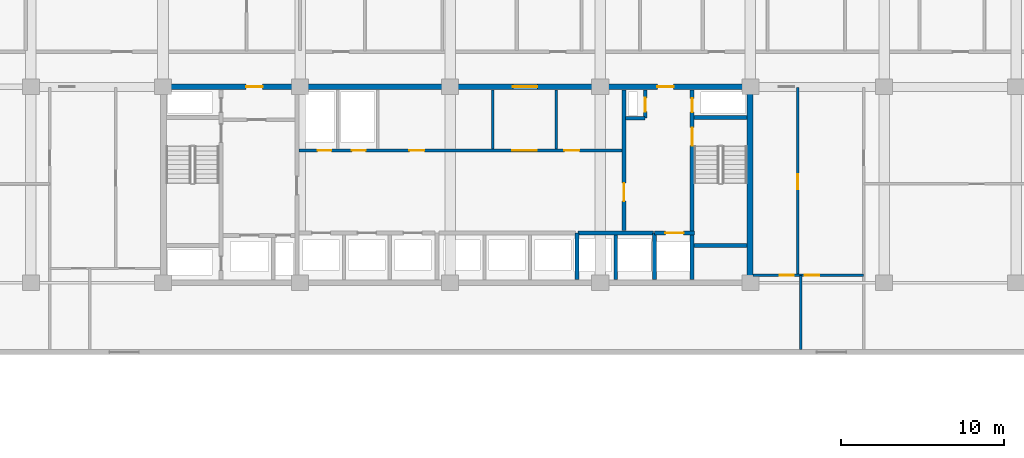
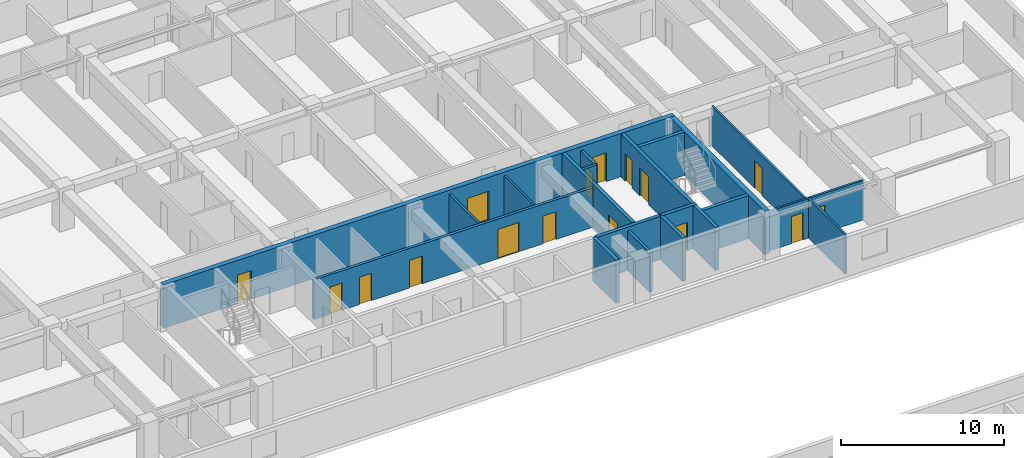
# One storey, part 12 of 23: 19 walls, 16 doors, 16 openings.
"""IFC4 building model written with IfcOpenShell, lengths in metres."""

from ifc_helpers import new_model, si_unit, direction, frame, frame_2d, origin, place, context, subcontext, project, spatial, rectangle, extrude, material, layer, layer_set, type_object, element, fill, save


model = new_model("IFC4")

# Units and contexts
model_context = context("Model", 3, precision=1e-05, world=origin(), true_north=direction((0.0, 1.0)))
body_context = subcontext(model_context, "Body", "Model", "MODEL_VIEW")
ifc_project = project(units=[si_unit("LENGTHUNIT", "METRE"), si_unit("AREAUNIT", "SQUARE_METRE"), si_unit("VOLUMEUNIT", "CUBIC_METRE"), si_unit("PLANEANGLEUNIT", "RADIAN"), si_unit("MASSUNIT", "GRAM", prefix="KILO")], contexts=[model_context])

# Site, building, storey
site_placement = place(None, origin())
site = spatial("IfcSite", under=ifc_project, at=site_placement, CompositionType="ELEMENT")
building_placement = place(site_placement, origin())
building = spatial("IfcBuilding", under=site, at=building_placement, Name="Korimba Cascade Residences", CompositionType="ELEMENT")
storey_placement = place(building_placement, frame((0.0, 0.0, 37.0)))
storey = spatial("IfcBuildingStorey", under=building, at=storey_placement, Name="L09", CompositionType="ELEMENT", Elevation=37.0)

# Wall
ifc_material_1 = material(Name="Concrete C65/80", Category="concrete")
ifc_layer_1 = layer(ifc_material_1, 0.35009765625)
ifc_layer_set_1 = layer_set([ifc_layer_1], Name="Concrete C65/80")
wall_type_1 = type_object("IfcWallType", Name="WAL-CORE-350", PredefinedType="SHEAR", material=ifc_layer_set_1)
wall_1_placement = place(storey_placement, frame((112.074951171875, 55.375, 0.0), z_axis=(0.0, 0.0, 1.0), x_axis=(0.0, 1.0, 0.0)))
element("IfcWall", 1, at=wall_1_placement, inside=storey, type_object=wall_type_1, Name="L09 Core Shear Wall CW-L09-T1-E", PredefinedType="SHEAR", context=body_context, shape_type="SweptSolid", body=[
    extrude(rectangle(XDim=11.64990234375, YDim=0.35009765625, at=frame_2d((5.824951171875, 0.0))), origin(), (0.0, 0.0, 1.0), 3.25),
])

# Wall, openings, doors
wall_2_placement = place(storey_placement, frame((75.949951171875, 67.199951171875, 0.0), z_axis=(0.0, 0.0, 1.0), x_axis=(1.0, 0.0, 0.0)))
wall_2 = element("IfcWall", 2, at=wall_2_placement, inside=storey, type_object=wall_type_1, Name="L09 Core Shear Wall CW-L09-T1-N", PredefinedType="SHEAR", context=body_context, shape_type="SweptSolid", body=[
    extrude(rectangle(XDim=36.300048828125, YDim=0.35009765625, at=frame_2d((18.14990234375, 0.0))), origin(), (0.0, 0.0, 1.0), 3.25),
])
opening_1_placement = place(wall_2_placement, frame((5.25, 0.0, 0.0)))
opening_1 = element("IfcOpeningElement", 3, at=opening_1_placement, cuts=wall_2, Name="Opening D-FD5", PredefinedType="OPENING", context=body_context, shape_type="SweptSolid", body=[
    extrude(rectangle(XDim=1.0, YDim=2.14990234375, at=frame_2d((0.5, 1.074951171875))), frame((0.0, 0.18505859375, 0.0), z_axis=(0.0, -1.0, 0.0), x_axis=(1.0, 0.0, 0.0)), (0.0, 0.0, 1.0), 0.3701171875),
])
opening_2_placement = place(wall_2_placement, frame((21.60009765625, 0.0, 0.0)))
opening_2 = element("IfcOpeningElement", 4, at=opening_2_placement, cuts=wall_2, Name="Opening D-FD8", PredefinedType="OPENING", context=body_context, shape_type="SweptSolid", body=[
    extrude(rectangle(XDim=1.5, YDim=2.199951171875, at=frame_2d((0.75, 1.10009765625))), frame((0.0, 0.18505859375, 0.0), z_axis=(0.0, -1.0, 0.0), x_axis=(1.0, 0.0, 0.0)), (0.0, 0.0, 1.0), 0.3701171875),
])
opening_3_placement = place(wall_2_placement, frame((30.449951171875, 0.0, 0.0)))
opening_3 = element("IfcOpeningElement", 5, at=opening_3_placement, cuts=wall_2, Name="Opening D-FD5", PredefinedType="OPENING", context=body_context, shape_type="SweptSolid", body=[
    extrude(rectangle(XDim=1.0, YDim=2.14990234375, at=frame_2d((0.5, 1.074951171875))), frame((0.0, 0.18505859375, 0.0), z_axis=(0.0, -1.0, 0.0), x_axis=(1.0, 0.0, 0.0)), (0.0, 0.0, 1.0), 0.3701171875),
])
ifc_material_2 = material(Name="Fire-Rated Acoustic Timber Vestibule Door", Category="wood")
door_type_1 = type_object("IfcDoorType", Name="DR-FD90-1000", OperationType="NOTDEFINED", PredefinedType="DOOR", material=ifc_material_2)
door_1_placement = place(opening_1_placement, origin())
door_1 = element("IfcDoor", 6, at=door_1_placement, inside=storey, type_object=door_type_1, Name="L09 T1 West Core Vestibule Fire Door", OperationType="SINGLE_SWING_RIGHT", OverallHeight=2.14990234375, OverallWidth=1.0, PredefinedType="DOOR", context=body_context, shape_type="SweptSolid", body=[
    extrude(rectangle(XDim=1.0, YDim=2.14990234375, at=frame_2d((0.5, 1.074951171875))), frame((0.0, 0.02490234375, 0.0), z_axis=(0.0, -1.0, 0.0), x_axis=(1.0, 0.0, 0.0)), (0.0, 0.0, 1.0), 0.050048828125),
])
fill(opening_1, door_1)
door_2_placement = place(opening_3_placement, origin())
door_2 = element("IfcDoor", 7, at=door_2_placement, inside=storey, type_object=door_type_1, Name="L09 T1 East Firefighting Vestibule Fire Door", OperationType="SINGLE_SWING_LEFT", OverallHeight=2.14990234375, OverallWidth=1.0, PredefinedType="DOOR", context=body_context, shape_type="SweptSolid", body=[
    extrude(rectangle(XDim=1.0, YDim=2.14990234375, at=frame_2d((0.5, 1.074951171875))), frame((0.0, 0.02490234375, 0.0), z_axis=(0.0, -1.0, 0.0), x_axis=(1.0, 0.0, 0.0)), (0.0, 0.0, 1.0), 0.050048828125),
])
fill(opening_3, door_2)
ifc_material_3 = material(Name="Fire-Rated Glazed Lift Lobby Double Door", Category="glass")
door_type_2 = type_object("IfcDoorType", Name="DR-FD90-1500", OperationType="NOTDEFINED", PredefinedType="DOOR", material=ifc_material_3)
door_3_placement = place(opening_2_placement, origin())
door_3 = element("IfcDoor", 8, at=door_3_placement, inside=storey, type_object=door_type_2, Name="L09 T1 Lift Lobby Fire Door", OperationType="DOUBLE_DOOR_SINGLE_SWING", OverallHeight=2.199951171875, OverallWidth=1.5, PredefinedType="DOOR", context=body_context, shape_type="SweptSolid", body=[
    extrude(rectangle(XDim=1.5, YDim=2.199951171875, at=frame_2d((0.75, 1.10009765625))), frame((0.0, 0.02490234375, 0.0), z_axis=(0.0, -1.0, 0.0), x_axis=(1.0, 0.0, 0.0)), (0.0, 0.0, 1.0), 0.050048828125),
])
fill(opening_2, door_3)

# Walls
ifc_material_4 = material(Name="Insulated Acoustic Stud Partition", Category="gypsum")
ifc_layer_2 = layer(ifc_material_4, 0.14990234375)
ifc_layer_set_2 = layer_set([ifc_layer_2], Name="Insulated Acoustic Stud Partition")
wall_type_2 = type_object("IfcWallType", Name="WAL-PART-150", PredefinedType="PARTITIONING", material=ifc_layer_set_2)
for number, where, z_axis, x_axis, name in (
    (9, (96.300048828125, 63.39990234375, 0.0), (0.0, 0.0, 1.0), (0.0, 1.0, 0.0), "L09 Partition Wall CW-L09-T1-THW"),
    (10, (100.199951171875, 63.39990234375, 0.0), (0.0, 0.0, 1.0), (0.0, 1.0, 0.0), "L09 Partition Wall CW-L09-T1-THE"),
):
    element("IfcWall", number, at=place(storey_placement, frame(where, z_axis=z_axis, x_axis=x_axis)), inside=storey, type_object=wall_type_2, Name=name, PredefinedType="PARTITIONING", context=body_context, shape_type="SweptSolid", body=[
        extrude(rectangle(XDim=3.60009765625, YDim=0.14990234375, at=frame_2d((1.800048828125, 0.0))), origin(), (0.0, 0.0, 1.0), 2.969970703125),
    ])

# Wall, opening, door
wall_3_placement = place(storey_placement, frame((115.0, 55.64990234375, 0.0), z_axis=(0.0, 0.0, 1.0), x_axis=(0.0, 1.0, 0.0)))
wall_3 = element("IfcWall", 11, at=wall_3_placement, inside=storey, type_object=wall_type_2, Name="L09 Partition Wall WAL-L09-T1-FE-VN", PredefinedType="PARTITIONING", context=body_context, shape_type="SweptSolid", body=[
    extrude(rectangle(XDim=11.5, YDim=0.14990234375, at=frame_2d((5.75, 0.0))), origin(), (0.0, 0.0, 1.0), 2.969970703125),
])
opening_4_placement = place(wall_3_placement, frame((5.2900390625, 0.0, 0.0)))
opening_4 = element("IfcOpeningElement", 12, at=opening_4_placement, cuts=wall_3, Name="Opening D-IN1", PredefinedType="OPENING", context=body_context, shape_type="SweptSolid", body=[
    extrude(rectangle(XDim=0.919921875, YDim=2.080078125, at=frame_2d((0.4599609375, 1.0400390625))), frame((0.0, 0.0849609375, 0.0), z_axis=(0.0, -1.0, 0.0), x_axis=(1.0, 0.0, 0.0)), (0.0, 0.0, 1.0), 0.169921875),
])
ifc_material_5 = material(Name="Acoustic Timber Living Door", Category="wood")
door_type_3 = type_object("IfcDoorType", Name="DR-INT-920", OperationType="NOTDEFINED", PredefinedType="DOOR", material=ifc_material_5)
door_4_placement = place(opening_4_placement, origin())
door_4 = element("IfcDoor", 13, at=door_4_placement, inside=storey, type_object=door_type_3, Name="L09-T1-FE Living Door", OperationType="SINGLE_SWING_RIGHT", OverallHeight=2.080078125, OverallWidth=0.919921875, PredefinedType="DOOR", context=body_context, shape_type="SweptSolid", body=[
    extrude(rectangle(XDim=0.919921875, YDim=2.080078125, at=frame_2d((0.4599609375, 1.0400390625))), frame((0.0, 0.02490234375, 0.0), z_axis=(0.0, -1.0, 0.0), x_axis=(1.0, 0.0, 0.0)), (0.0, 0.0, 1.0), 0.050048828125),
])
fill(opening_4, door_4)

# Wall
wall_4_placement = place(storey_placement, frame((115.199951171875, 51.10009765625, 0.0), z_axis=(0.0, 0.0, 1.0), x_axis=(0.0, 1.0, 0.0)))
element("IfcWall", 14, at=wall_4_placement, inside=storey, type_object=wall_type_2, Name="L09 Partition Wall WAL-L09-T1-FE-VS", PredefinedType="PARTITIONING", context=body_context, shape_type="SweptSolid", body=[
    extrude(rectangle(XDim=4.5498046875, YDim=0.14990234375, at=frame_2d((2.27490234375, 0.0))), origin(), (0.0, 0.0, 1.0), 2.969970703125),
])

# Wall, openings, doors
wall_5_placement = place(storey_placement, frame((112.27001953125, 55.64990234375, 0.0), z_axis=(0.0, 0.0, 1.0), x_axis=(1.0, 0.0, 0.0)))
wall_5 = element("IfcWall", 15, at=wall_5_placement, inside=storey, type_object=wall_type_2, Name="L09 Partition Wall WAL-L09-T1-FE-H", PredefinedType="PARTITIONING", context=body_context, shape_type="SweptSolid", body=[
    extrude(rectangle(XDim=6.760009765625, YDim=0.14990234375, at=frame_2d((3.3798828125, 0.0))), origin(), (0.0, 0.0, 1.0), 2.969970703125),
])
opening_5_placement = place(wall_5_placement, frame((1.6396484375, 0.0, 0.0)))
opening_5 = element("IfcOpeningElement", 16, at=opening_5_placement, cuts=wall_5, Name="Opening D-BT1", PredefinedType="OPENING", context=body_context, shape_type="SweptSolid", body=[
    extrude(rectangle(XDim=0.840087890625, YDim=2.0400390625, at=frame_2d((0.419921875, 1.02001953125))), frame((0.0, 0.0849609375, 0.0), z_axis=(0.0, -1.0, 0.0), x_axis=(1.0, 0.0, 0.0)), (0.0, 0.0, 1.0), 0.169921875),
])
opening_6_placement = place(wall_5_placement, frame((3.160400390625, 0.0, 0.0)))
opening_6 = element("IfcOpeningElement", 17, at=opening_6_placement, cuts=wall_5, Name="Opening D-IN2", PredefinedType="OPENING", context=body_context, shape_type="SweptSolid", body=[
    extrude(rectangle(XDim=0.8798828125, YDim=2.06005859375, at=frame_2d((0.43994140625, 1.030029296875))), frame((0.0, 0.0849609375, 0.0), z_axis=(0.0, -1.0, 0.0), x_axis=(1.0, 0.0, 0.0)), (0.0, 0.0, 1.0), 0.169921875),
])
ifc_material_6 = material(Name="Moisture-Resistant Bathroom Timber Door", Category="wood")
door_type_4 = type_object("IfcDoorType", Name="DR-INT-850", OperationType="NOTDEFINED", PredefinedType="DOOR", material=ifc_material_6)
door_5_placement = place(opening_5_placement, origin())
door_5 = element("IfcDoor", 18, at=door_5_placement, inside=storey, type_object=door_type_4, Name="L09-T1-FE Bathroom Door", OperationType="SINGLE_SWING_LEFT", OverallHeight=2.0400390625, OverallWidth=0.840087890625, PredefinedType="DOOR", context=body_context, shape_type="SweptSolid", body=[
    extrude(rectangle(XDim=0.840087890625, YDim=2.0400390625, at=frame_2d((0.419921875, 1.02001953125))), frame((0.0, 0.02490234375, 0.0), z_axis=(0.0, -1.0, 0.0), x_axis=(1.0, 0.0, 0.0)), (0.0, 0.0, 1.0), 0.050048828125),
])
fill(opening_5, door_5)
ifc_material_7 = material(Name="Acoustic Timber Bedroom Door", Category="wood")
door_type_5 = type_object("IfcDoorType", Name="DR-INT-880", OperationType="NOTDEFINED", PredefinedType="DOOR", material=ifc_material_7)
door_6_placement = place(opening_6_placement, origin())
door_6 = element("IfcDoor", 19, at=door_6_placement, inside=storey, type_object=door_type_5, Name="L09-T1-FE Bedroom Door", OperationType="SINGLE_SWING_RIGHT", OverallHeight=2.06005859375, OverallWidth=0.8798828125, PredefinedType="DOOR", context=body_context, shape_type="SweptSolid", body=[
    extrude(rectangle(XDim=0.8798828125, YDim=2.06005859375, at=frame_2d((0.43994140625, 1.030029296875))), frame((0.0, 0.02490234375, 0.0), z_axis=(0.0, -1.0, 0.0), x_axis=(1.0, 0.0, 0.0)), (0.0, 0.0, 1.0), 0.050048828125),
])
fill(opening_6, door_6)

# Wall
ifc_material_8 = material(Name="Concrete C40/50", Category="concrete")
ifc_layer_3 = layer(ifc_material_8, 0.199951171875)
ifc_layer_set_3 = layer_set([ifc_layer_3], Name="Concrete C40/50")
wall_type_3 = type_object("IfcWallType", Name="WAL-PART-200", PredefinedType="PARTITIONING", material=ifc_layer_set_3)
wall_6_placement = place(storey_placement, frame((103.85009765625, 55.39990234375, 0.0), z_axis=(0.0, 0.0, 1.0), x_axis=(0.0, 1.0, 0.0)))
element("IfcWall", 20, at=wall_6_placement, inside=storey, type_object=wall_type_3, Name="L09 Partition Wall CW-L09-T1-B3D1", PredefinedType="PARTITIONING", context=body_context, shape_type="SweptSolid", body=[
    extrude(rectangle(XDim=2.72021484375, YDim=0.199951171875, at=frame_2d((1.360107421875, 0.0))), origin(), (0.0, 0.0, 1.0), 2.969970703125),
])

# Wall, openings, doors
wall_7_placement = place(storey_placement, frame((84.419921875, 63.300048828125, 0.0), z_axis=(0.0, 0.0, 1.0), x_axis=(1.0, 0.0, 0.0)))
wall_7 = element("IfcWall", 21, at=wall_7_placement, inside=storey, type_object=wall_type_3, Name="L09 Partition Wall CW-L09-T1-SRVROW", PredefinedType="PARTITIONING", context=body_context, shape_type="SweptSolid", body=[
    extrude(rectangle(XDim=19.830078125, YDim=0.199951171875, at=frame_2d((9.9150390625, 0.0))), origin(), (0.0, 0.0, 1.0), 2.969970703125),
])
opening_7_placement = place(wall_7_placement, frame((1.14990234375, 0.0, 0.0)))
opening_7 = element("IfcOpeningElement", 22, at=opening_7_placement, cuts=wall_7, Name="Opening D-RS1", PredefinedType="OPENING", context=body_context, shape_type="SweptSolid", body=[
    extrude(rectangle(XDim=0.85009765625, YDim=2.050048828125, at=frame_2d((0.425048828125, 1.02490234375))), frame((0.0, 0.10986328125, 0.0), z_axis=(0.0, -1.0, 0.0), x_axis=(1.0, 0.0, 0.0)), (0.0, 0.0, 1.0), 0.219970703125),
])
opening_8_placement = place(wall_7_placement, frame((3.25, 0.0, 0.0)))
opening_8 = element("IfcOpeningElement", 23, at=opening_8_placement, cuts=wall_7, Name="Opening D-RS1", PredefinedType="OPENING", context=body_context, shape_type="SweptSolid", body=[
    extrude(rectangle(XDim=0.85009765625, YDim=2.050048828125, at=frame_2d((0.425048828125, 1.02490234375))), frame((0.0, 0.10986328125, 0.0), z_axis=(0.0, -1.0, 0.0), x_axis=(1.0, 0.0, 0.0)), (0.0, 0.0, 1.0), 0.219970703125),
])
opening_9_placement = place(wall_7_placement, frame((13.080078125, 0.0, 0.0)))
opening_9 = element("IfcOpeningElement", 24, at=opening_9_placement, cuts=wall_7, Name="Opening D-FD8", PredefinedType="OPENING", context=body_context, shape_type="SweptSolid", body=[
    extrude(rectangle(XDim=1.5, YDim=2.199951171875, at=frame_2d((0.75, 1.10009765625))), frame((0.0, 0.10986328125, 0.0), z_axis=(0.0, -1.0, 0.0), x_axis=(1.0, 0.0, 0.0)), (0.0, 0.0, 1.0), 0.219970703125),
])
opening_10_placement = place(wall_7_placement, frame((6.780029296875, 0.0, 0.0)))
opening_10 = element("IfcOpeningElement", 25, at=opening_10_placement, cuts=wall_7, Name="Opening D-IN1", PredefinedType="OPENING", context=body_context, shape_type="SweptSolid", body=[
    extrude(rectangle(XDim=0.919921875, YDim=2.080078125, at=frame_2d((0.4599609375, 1.0400390625))), frame((0.0, 0.10986328125, 0.0), z_axis=(0.0, -1.0, 0.0), x_axis=(1.0, 0.0, 0.0)), (0.0, 0.0, 1.0), 0.219970703125),
])
opening_11_placement = place(wall_7_placement, frame((16.280029296875, 0.0, 0.0)))
opening_11 = element("IfcOpeningElement", 26, at=opening_11_placement, cuts=wall_7, Name="Opening D-IN1", PredefinedType="OPENING", context=body_context, shape_type="SweptSolid", body=[
    extrude(rectangle(XDim=0.919921875, YDim=2.080078125, at=frame_2d((0.4599609375, 1.0400390625))), frame((0.0, 0.10986328125, 0.0), z_axis=(0.0, -1.0, 0.0), x_axis=(1.0, 0.0, 0.0)), (0.0, 0.0, 1.0), 0.219970703125),
])
ifc_material_9 = material(Name="Fire-Rated Steel Riser Access Door", Category="steel")
door_type_6 = type_object("IfcDoorType", Name="DR-FD60-850", OperationType="NOTDEFINED", PredefinedType="DOOR", material=ifc_material_9)
door_7_placement = place(opening_7_placement, origin())
door_7 = element("IfcDoor", 27, at=door_7_placement, inside=storey, type_object=door_type_6, Name="L09 Electrical Riser Door", OperationType="SINGLE_SWING_RIGHT", OverallHeight=2.050048828125, OverallWidth=0.85009765625, PredefinedType="DOOR", context=body_context, shape_type="SweptSolid", body=[
    extrude(rectangle(XDim=0.85009765625, YDim=2.050048828125, at=frame_2d((0.425048828125, 1.02490234375))), frame((0.0, 0.02490234375, 0.0), z_axis=(0.0, -1.0, 0.0), x_axis=(1.0, 0.0, 0.0)), (0.0, 0.0, 1.0), 0.050048828125),
])
fill(opening_7, door_7)
door_8_placement = place(opening_8_placement, origin())
door_8 = element("IfcDoor", 28, at=door_8_placement, inside=storey, type_object=door_type_6, Name="L09 Plumbing Riser Door", OperationType="SINGLE_SWING_LEFT", OverallHeight=2.050048828125, OverallWidth=0.85009765625, PredefinedType="DOOR", context=body_context, shape_type="SweptSolid", body=[
    extrude(rectangle(XDim=0.85009765625, YDim=2.050048828125, at=frame_2d((0.425048828125, 1.02490234375))), frame((0.0, 0.02490234375, 0.0), z_axis=(0.0, -1.0, 0.0), x_axis=(1.0, 0.0, 0.0)), (0.0, 0.0, 1.0), 0.050048828125),
])
fill(opening_8, door_8)
door_9_placement = place(opening_9_placement, origin())
door_9 = element("IfcDoor", 29, at=door_9_placement, inside=storey, type_object=door_type_2, Name="L09 Lift Lobby Foyer Archway Door", OperationType="DOUBLE_DOOR_SINGLE_SWING", OverallHeight=2.199951171875, OverallWidth=1.5, PredefinedType="DOOR", context=body_context, shape_type="SweptSolid", body=[
    extrude(rectangle(XDim=1.5, YDim=2.199951171875, at=frame_2d((0.75, 1.10009765625))), frame((0.0, 0.02490234375, 0.0), z_axis=(0.0, -1.0, 0.0), x_axis=(1.0, 0.0, 0.0)), (0.0, 0.0, 1.0), 0.050048828125),
])
fill(opening_9, door_9)
door_10_placement = place(opening_10_placement, origin())
door_10 = element("IfcDoor", 30, at=door_10_placement, inside=storey, type_object=door_type_3, Name="L09 Housekeeping Door", OperationType="SINGLE_SWING_RIGHT", OverallHeight=2.080078125, OverallWidth=0.919921875, PredefinedType="DOOR", context=body_context, shape_type="SweptSolid", body=[
    extrude(rectangle(XDim=0.919921875, YDim=2.080078125, at=frame_2d((0.4599609375, 1.0400390625))), frame((0.0, 0.02490234375, 0.0), z_axis=(0.0, -1.0, 0.0), x_axis=(1.0, 0.0, 0.0)), (0.0, 0.0, 1.0), 0.050048828125),
])
fill(opening_10, door_10)
door_11_placement = place(opening_11_placement, origin())
door_11 = element("IfcDoor", 31, at=door_11_placement, inside=storey, type_object=door_type_3, Name="L09 Store Door", OperationType="SINGLE_SWING_LEFT", OverallHeight=2.080078125, OverallWidth=0.919921875, PredefinedType="DOOR", context=body_context, shape_type="SweptSolid", body=[
    extrude(rectangle(XDim=0.919921875, YDim=2.080078125, at=frame_2d((0.4599609375, 1.0400390625))), frame((0.0, 0.02490234375, 0.0), z_axis=(0.0, -1.0, 0.0), x_axis=(1.0, 0.0, 0.0)), (0.0, 0.0, 1.0), 0.050048828125),
])
fill(opening_11, door_11)

# Wall
wall_8_placement = place(storey_placement, frame((104.449951171875, 65.280029296875, 0.0), z_axis=(0.0, 0.0, 1.0), x_axis=(1.0, 0.0, 0.0)))
element("IfcWall", 32, at=wall_8_placement, inside=storey, type_object=wall_type_3, Name="L09 Partition Wall CW-L09-T1-HYDW2S", PredefinedType="PARTITIONING", context=body_context, shape_type="SweptSolid", body=[
    extrude(rectangle(XDim=1.199951171875, YDim=0.199951171875, at=frame_2d((0.60009765625, 0.0))), origin(), (0.0, 0.0, 1.0), 2.969970703125),
])

# Wall, opening, door
wall_9_placement = place(storey_placement, frame((105.64990234375, 65.280029296875, 0.0), z_axis=(0.0, 0.0, 1.0), x_axis=(0.0, 1.0, 0.0)))
wall_9 = element("IfcWall", 33, at=wall_9_placement, inside=storey, type_object=wall_type_3, Name="L09 Partition Wall CW-L09-T1-HYDW2E", PredefinedType="PARTITIONING", context=body_context, shape_type="SweptSolid", body=[
    extrude(rectangle(XDim=1.719970703125, YDim=0.199951171875, at=frame_2d((0.85986328125, 0.0))), origin(), (0.0, 0.0, 1.0), 2.969970703125),
])
opening_12_placement = place(wall_9_placement, frame((0.39990234375, 0.0, 0.0)))
opening_12 = element("IfcOpeningElement", 34, at=opening_12_placement, cuts=wall_9, Name="Opening D-RS1", PredefinedType="OPENING", context=body_context, shape_type="SweptSolid", body=[
    extrude(rectangle(XDim=0.85009765625, YDim=2.050048828125, at=frame_2d((0.425048828125, 1.02490234375))), frame((0.0, 0.10986328125, 0.0), z_axis=(0.0, -1.0, 0.0), x_axis=(1.0, 0.0, 0.0)), (0.0, 0.0, 1.0), 0.219970703125),
])
door_12_placement = place(opening_12_placement, origin())
door_12 = element("IfcDoor", 35, at=door_12_placement, inside=storey, type_object=door_type_6, Name="L09 East Hydrant Door", OperationType="SINGLE_SWING_RIGHT", OverallHeight=2.050048828125, OverallWidth=0.85009765625, PredefinedType="DOOR", context=body_context, shape_type="SweptSolid", body=[
    extrude(rectangle(XDim=0.85009765625, YDim=2.050048828125, at=frame_2d((0.425048828125, 1.02490234375))), frame((0.0, 0.02490234375, 0.0), z_axis=(0.0, -1.0, 0.0), x_axis=(1.0, 0.0, 0.0)), (0.0, 0.0, 1.0), 0.050048828125),
])
fill(opening_12, door_12)

# Walls
ifc_material_10 = material(Name="Concrete C50/60", Category="concrete")
ifc_layer_4 = layer(ifc_material_10, 0.25)
ifc_layer_set_4 = layer_set([ifc_layer_4], Name="Concrete C50/60")
wall_type_4 = type_object("IfcWallType", Name="WAL-SHAFT-250", PredefinedType="SHEAR", material=ifc_layer_set_4)
wall_10_placement = place(storey_placement, frame((101.47998046875, 55.39990234375, 0.0), z_axis=(0.0, 0.0, 1.0), x_axis=(0.0, 1.0, 0.0)))
element("IfcWall", 36, at=wall_10_placement, inside=storey, type_object=wall_type_4, Name="L09 Core Shear Wall CW-L09-T1-B23DIV", PredefinedType="SHEAR", context=body_context, shape_type="SweptSolid", body=[
    extrude(rectangle(XDim=2.85009765625, YDim=0.25, at=frame_2d((1.425048828125, 0.0))), origin(), (0.0, 0.0, 1.0), 3.25),
])
wall_11_placement = place(storey_placement, frame((101.550048828125, 58.25, 0.0), z_axis=(0.0, 0.0, 1.0), x_axis=(1.0, 0.0, 0.0)))
element("IfcWall", 37, at=wall_11_placement, inside=storey, type_object=wall_type_4, Name="L09 Core Shear Wall CW-L09-T1-B3N", PredefinedType="SHEAR", context=body_context, shape_type="SweptSolid", body=[
    extrude(rectangle(XDim=4.599853515625, YDim=0.25, at=frame_2d((2.2998046875, 0.0))), origin(), (0.0, 0.0, 1.0), 3.25),
])
wall_12_placement = place(storey_placement, frame((106.219970703125, 55.39990234375, 0.0), z_axis=(0.0, 0.0, 1.0), x_axis=(0.0, 1.0, 0.0)))
element("IfcWall", 38, at=wall_12_placement, inside=storey, type_object=wall_type_4, Name="L09 Core Shear Wall CW-L09-T1-FF2W", PredefinedType="SHEAR", context=body_context, shape_type="SweptSolid", body=[
    extrude(rectangle(XDim=2.85009765625, YDim=0.25, at=frame_2d((1.425048828125, 0.0))), origin(), (0.0, 0.0, 1.0), 3.25),
])

# Wall, opening, door
wall_13_placement = place(storey_placement, frame((106.219970703125, 58.25, 0.0), z_axis=(0.0, 0.0, 1.0), x_axis=(1.0, 0.0, 0.0)))
wall_13 = element("IfcWall", 39, at=wall_13_placement, inside=storey, type_object=wall_type_4, Name="L09 Core Shear Wall CW-L09-T1-FF2N", PredefinedType="SHEAR", context=body_context, shape_type="SweptSolid", body=[
    extrude(rectangle(XDim=2.4599609375, YDim=0.25, at=frame_2d((1.22998046875, 0.0))), origin(), (0.0, 0.0, 1.0), 3.25),
])
opening_13_placement = place(wall_13_placement, frame((0.669921875, 0.0, 0.0)))
opening_13 = element("IfcOpeningElement", 40, at=opening_13_placement, cuts=wall_13, Name="Opening LD-01", PredefinedType="OPENING", context=body_context, shape_type="SweptSolid", body=[
    extrude(rectangle(XDim=1.1201171875, YDim=2.1201171875, at=frame_2d((0.56005859375, 1.06005859375))), frame((0.0, 0.135009765625, 0.0), z_axis=(0.0, -1.0, 0.0), x_axis=(1.0, 0.0, 0.0)), (0.0, 0.0, 1.0), 0.27001953125),
])
ifc_material_11 = material(Name="Stainless Steel Lift Landing Sliding Door", Category="steel")
door_type_7 = type_object("IfcDoorType", Name="DR-LIFT-1100", OperationType="NOTDEFINED", PredefinedType="DOOR", material=ifc_material_11)
door_13_placement = place(opening_13_placement, origin())
door_13 = element("IfcDoor", 41, at=door_13_placement, inside=storey, type_object=door_type_7, Name="L09 Firefighting Lift Landing Door FFL-W2", OperationType="SLIDING_TO_RIGHT", OverallHeight=2.1201171875, OverallWidth=1.1201171875, PredefinedType="DOOR", context=body_context, shape_type="SweptSolid", body=[
    extrude(rectangle(XDim=1.1201171875, YDim=2.1201171875, at=frame_2d((0.56005859375, 1.06005859375))), frame((0.0, 0.02490234375, 0.0), z_axis=(0.0, -1.0, 0.0), x_axis=(1.0, 0.0, 0.0)), (0.0, 0.0, 1.0), 0.050048828125),
])
fill(opening_13, door_13)

wall_14_placement = place(storey_placement, frame((104.35009765625, 58.39990234375, 0.0), z_axis=(0.0, 0.0, 1.0), x_axis=(0.0, 1.0, 0.0)))
wall_14 = element("IfcWall", 42, at=wall_14_placement, inside=storey, type_object=wall_type_4, Name="L09 Core Shear Wall CW-L09-T1-LLEV", PredefinedType="SHEAR", context=body_context, shape_type="SweptSolid", body=[
    extrude(rectangle(XDim=8.60009765625, YDim=0.25, at=frame_2d((4.300048828125, 0.0))), origin(), (0.0, 0.0, 1.0), 3.25),
])
opening_14_placement = place(wall_14_placement, frame((1.800048828125, 0.0, 0.0)))
opening_14 = element("IfcOpeningElement", 43, at=opening_14_placement, cuts=wall_14, Name="Opening D-FD1", PredefinedType="OPENING", context=body_context, shape_type="SweptSolid", body=[
    extrude(rectangle(XDim=1.10009765625, YDim=2.10009765625, at=frame_2d((0.550048828125, 1.050048828125))), frame((0.0, 0.135009765625, 0.0), z_axis=(0.0, -1.0, 0.0), x_axis=(1.0, 0.0, 0.0)), (0.0, 0.0, 1.0), 0.27001953125),
])
ifc_material_12 = material(Name="Fire-Rated Steel Core Door", Category="steel")
door_type_8 = type_object("IfcDoorType", Name="DR-FD120-1100", OperationType="NOTDEFINED", PredefinedType="DOOR", material=ifc_material_12)
door_14_placement = place(opening_14_placement, origin())
door_14 = element("IfcDoor", 44, at=door_14_placement, inside=storey, type_object=door_type_8, Name="L09 Lift Lobby to East Firefighting Lobby Door", OperationType="SINGLE_SWING_LEFT", OverallHeight=2.10009765625, OverallWidth=1.10009765625, PredefinedType="DOOR", context=body_context, shape_type="SweptSolid", body=[
    extrude(rectangle(XDim=1.10009765625, YDim=2.10009765625, at=frame_2d((0.550048828125, 1.050048828125))), frame((0.0, 0.02490234375, 0.0), z_axis=(0.0, -1.0, 0.0), x_axis=(1.0, 0.0, 0.0)), (0.0, 0.0, 1.0), 0.050048828125),
])
fill(opening_14, door_14)

# Wall, openings, doors
wall_15_placement = place(storey_placement, frame((108.534912109375, 55.39990234375, 0.0), z_axis=(0.0, 0.0, 1.0), x_axis=(0.0, 1.0, 0.0)))
wall_15 = element("IfcWall", 45, at=wall_15_placement, inside=storey, type_object=wall_type_4, Name="L09 Core Shear Wall CW-L09-T1-STW2W", PredefinedType="SHEAR", context=body_context, shape_type="SweptSolid", body=[
    extrude(rectangle(XDim=11.60009765625, YDim=0.25, at=frame_2d((5.800048828125, 0.0))), origin(), (0.0, 0.0, 1.0), 3.25),
])
opening_15_placement = place(wall_15_placement, frame((8.199951171875, 0.0, 0.0)))
opening_15 = element("IfcOpeningElement", 46, at=opening_15_placement, cuts=wall_15, Name="Opening D-FD1", PredefinedType="OPENING", context=body_context, shape_type="SweptSolid", body=[
    extrude(rectangle(XDim=1.10009765625, YDim=2.10009765625, at=frame_2d((0.550048828125, 1.050048828125))), frame((0.0, 0.135009765625, 0.0), z_axis=(0.0, -1.0, 0.0), x_axis=(1.0, 0.0, 0.0)), (0.0, 0.0, 1.0), 0.27001953125),
])
opening_16_placement = place(wall_15_placement, frame((10.25, 0.0, 0.0)))
opening_16 = element("IfcOpeningElement", 47, at=opening_16_placement, cuts=wall_15, Name="Opening D-RS1", PredefinedType="OPENING", context=body_context, shape_type="SweptSolid", body=[
    extrude(rectangle(XDim=0.85009765625, YDim=2.050048828125, at=frame_2d((0.425048828125, 1.02490234375))), frame((0.0, 0.135009765625, 0.0), z_axis=(0.0, -1.0, 0.0), x_axis=(1.0, 0.0, 0.0)), (0.0, 0.0, 1.0), 0.27001953125),
])
door_15_placement = place(opening_15_placement, origin())
door_15 = element("IfcDoor", 48, at=door_15_placement, inside=storey, type_object=door_type_8, Name="L09 Fire Stair ST-W2 Door", OperationType="SINGLE_SWING_RIGHT", OverallHeight=2.10009765625, OverallWidth=1.10009765625, PredefinedType="DOOR", context=body_context, shape_type="SweptSolid", body=[
    extrude(rectangle(XDim=1.10009765625, YDim=2.10009765625, at=frame_2d((0.550048828125, 1.050048828125))), frame((0.0, 0.02490234375, 0.0), z_axis=(0.0, -1.0, 0.0), x_axis=(1.0, 0.0, 0.0)), (0.0, 0.0, 1.0), 0.050048828125),
])
fill(opening_15, door_15)
door_16_placement = place(opening_16_placement, origin())
door_16 = element("IfcDoor", 49, at=door_16_placement, inside=storey, type_object=door_type_6, Name="L09 East Riser Door", OperationType="SINGLE_SWING_LEFT", OverallHeight=2.050048828125, OverallWidth=0.85009765625, PredefinedType="DOOR", context=body_context, shape_type="SweptSolid", body=[
    extrude(rectangle(XDim=0.85009765625, YDim=2.050048828125, at=frame_2d((0.425048828125, 1.02490234375))), frame((0.0, 0.02490234375, 0.0), z_axis=(0.0, -1.0, 0.0), x_axis=(1.0, 0.0, 0.0)), (0.0, 0.0, 1.0), 0.050048828125),
])
fill(opening_16, door_16)

# Walls
for number, where, z_axis, x_axis, name in (
    (50, (108.659912109375, 57.47509765625, 0.0), (0.0, 0.0, 1.0), (1.0, 0.0, 0.0), "L09 Core Shear Wall CW-L09-T1-STW2S"),
    (51, (108.659912109375, 65.324951171875, 0.0), (0.0, 0.0, 1.0), (1.0, 0.0, 0.0), "L09 Core Shear Wall CW-L09-T1-STW2N"),
):
    element("IfcWall", number, at=place(storey_placement, frame(where, z_axis=z_axis, x_axis=x_axis)), inside=storey, type_object=wall_type_4, Name=name, PredefinedType="SHEAR", context=body_context, shape_type="SweptSolid", body=[
        extrude(rectangle(XDim=3.239990234375, YDim=0.25, at=frame_2d((1.6201171875, 0.0))), origin(), (0.0, 0.0, 1.0), 3.25),
    ])

save(model, "model.ifc")
